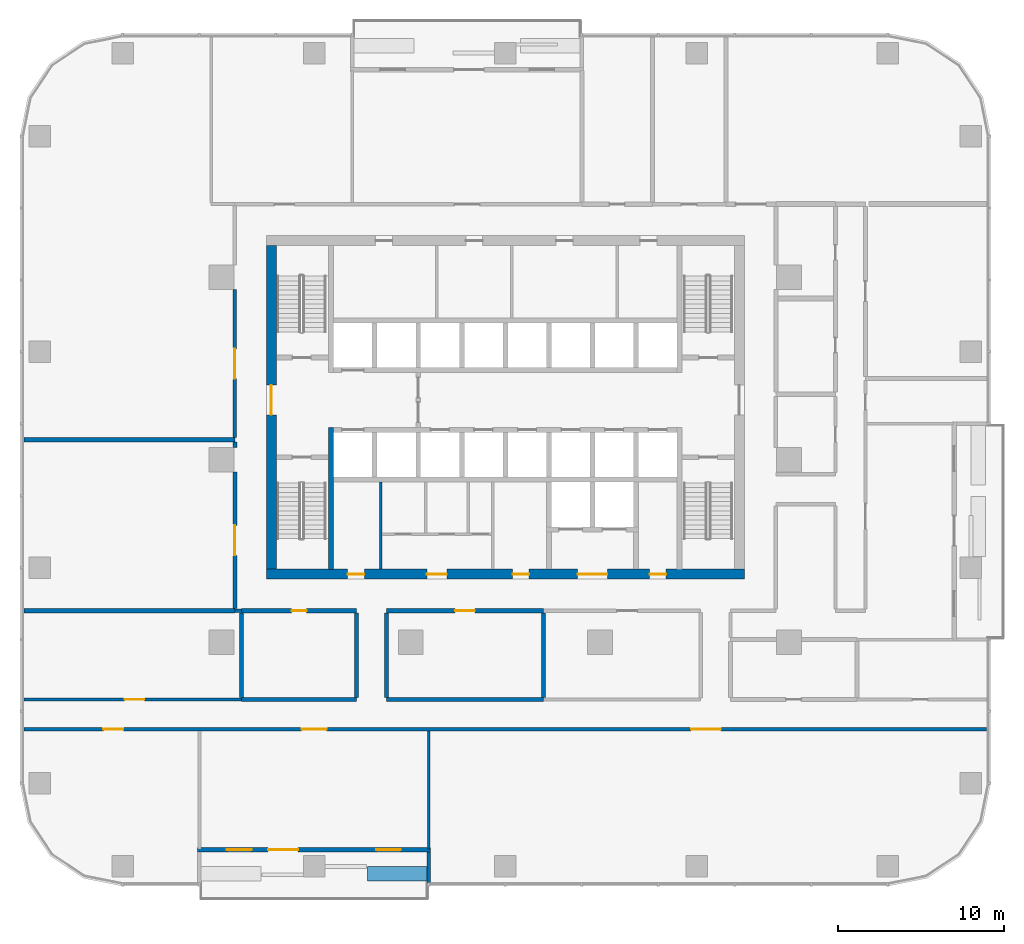
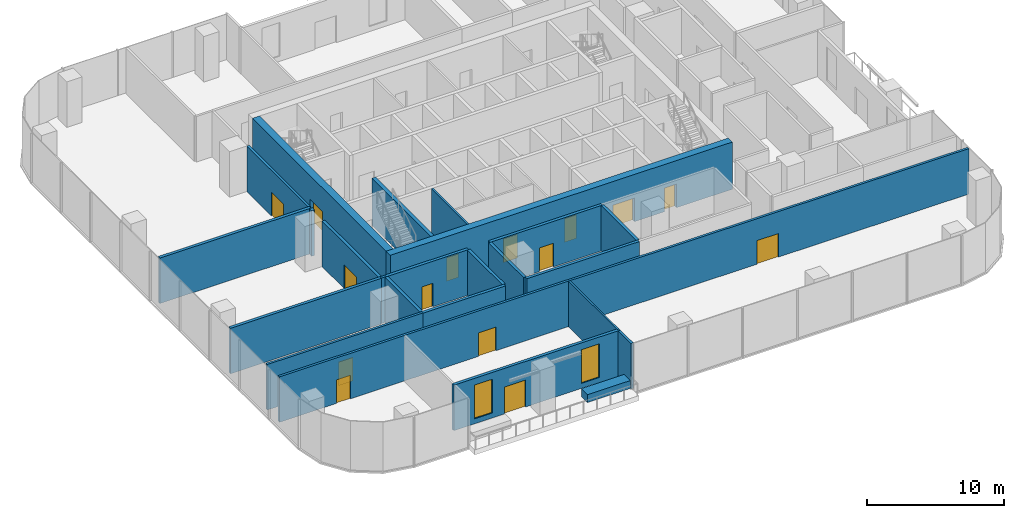
# One storey, part 7 of 14: 24 walls, 15 doors, 2 windows, 17 openings.
"""IFC4 building model written with IfcOpenShell, lengths in metres."""

from ifc_helpers import new_model, si_unit, direction, frame, frame_2d, origin, place, context, subcontext, project, spatial, rectangle, extrude, material, layer, layer_set, type_object, element, fill, save


model = new_model("IFC4")

# Units and contexts
model_context = context("Model", 3, precision=1e-05, world=origin(), true_north=direction((0.0, 1.0)))
body_context = subcontext(model_context, "Body", "Model", "MODEL_VIEW")
ifc_project = project(units=[si_unit("LENGTHUNIT", "METRE"), si_unit("AREAUNIT", "SQUARE_METRE"), si_unit("VOLUMEUNIT", "CUBIC_METRE"), si_unit("PLANEANGLEUNIT", "RADIAN"), si_unit("MASSUNIT", "GRAM", prefix="KILO")], contexts=[model_context])

# Site, building, storey
site_placement = place(None, origin())
site = spatial("IfcSite", under=ifc_project, at=site_placement, CompositionType="ELEMENT")
building_placement = place(site_placement, origin())
building = spatial("IfcBuilding", under=site, at=building_placement, Name="Mopane Tessera Tower", CompositionType="ELEMENT")
storey_placement = place(building_placement, frame((0.0, 0.0, 130.60009765625)))
storey = spatial("IfcBuildingStorey", under=building, at=storey_placement, Name="L26", CompositionType="ELEMENT", Elevation=130.60009765625)

# Wall
ifc_material_1 = material(Name="Fire-rated gypsum board partition")
ifc_layer_1 = layer(ifc_material_1, 0.14990234375)
ifc_layer_set_1 = layer_set([ifc_layer_1], Name="Fire-rated gypsum board partition")
wall_type_1 = type_object("IfcWallType", Name="Core room partition 150 mm", PredefinedType="PARTITIONING", material=ifc_layer_set_1)
wall_1_placement = place(storey_placement, frame((-7.5, -6.60009765625, 0.0), z_axis=(0.0, 0.0, 1.0), x_axis=(0.0, 1.0, 0.0)))
element("IfcWall", 1, at=wall_1_placement, inside=storey, type_object=wall_type_1, Name="L26 Room partition", PredefinedType="PARTITIONING", context=body_context, shape_type="SweptSolid", body=[
    extrude(rectangle(XDim=5.25, YDim=0.14990234375, at=frame_2d((2.625, 0.0))), origin(), (0.0, 0.0, 1.0), 4.199951171875),
])

# Wall, openings, doors
ifc_material_2 = material(Name="Concrete C70/85", Category="concrete")
ifc_layer_2 = layer(ifc_material_2, 0.60009765625)
ifc_layer_set_2 = layer_set([ifc_layer_2], Name="Concrete C70/85")
wall_type_2 = type_object("IfcWallType", Name="Core shear wall 600 mm", PredefinedType="SHEAR", material=ifc_layer_set_2)
wall_2_placement = place(storey_placement, frame((-14.39990234375, -6.89990234375, 0.0), z_axis=(0.0, 0.0, 1.0), x_axis=(1.0, 0.0, 0.0)))
wall_2 = element("IfcWall", 2, at=wall_2_placement, inside=storey, type_object=wall_type_2, Name="L26 Core wall south", PredefinedType="SHEAR", context=body_context, shape_type="SweptSolid", body=[
    extrude(rectangle(XDim=28.7998046875, YDim=0.60009765625, at=frame_2d((14.39990234375, 0.0))), origin(), (0.0, 0.0, 1.0), 4.199951171875),
])
opening_1_placement = place(wall_2_placement, frame((4.89990234375, 0.0, 0.0)))
opening_1 = element("IfcOpeningElement", 3, at=opening_1_placement, cuts=wall_2, Name="Opening RD1", PredefinedType="OPENING", context=body_context, shape_type="SweptSolid", body=[
    extrude(rectangle(XDim=1.0, YDim=2.10009765625, at=frame_2d((0.5, 1.050048828125))), frame((0.0, 0.31201171875, 0.0), z_axis=(0.0, -1.0, 0.0), x_axis=(1.0, 0.0, 0.0)), (0.0, 0.0, 1.0), 0.6240234375),
])
opening_2_placement = place(wall_2_placement, frame((9.675048828125, 0.0, 0.0)))
opening_2 = element("IfcOpeningElement", 4, at=opening_2_placement, cuts=wall_2, Name="Opening WD3", PredefinedType="OPENING", context=body_context, shape_type="SweptSolid", body=[
    extrude(rectangle(XDim=1.199951171875, YDim=2.10009765625, at=frame_2d((0.60009765625, 1.050048828125))), frame((0.0, 0.31201171875, 0.0), z_axis=(0.0, -1.0, 0.0), x_axis=(1.0, 0.0, 0.0)), (0.0, 0.0, 1.0), 0.6240234375),
])
opening_3_placement = place(wall_2_placement, frame((14.83740234375, 0.0, 0.0)))
opening_3 = element("IfcOpeningElement", 5, at=opening_3_placement, cuts=wall_2, Name="Opening RD1", PredefinedType="OPENING", context=body_context, shape_type="SweptSolid", body=[
    extrude(rectangle(XDim=1.0, YDim=2.10009765625, at=frame_2d((0.5, 1.050048828125))), frame((0.0, 0.31201171875, 0.0), z_axis=(0.0, -1.0, 0.0), x_axis=(1.0, 0.0, 0.0)), (0.0, 0.0, 1.0), 0.6240234375),
])
opening_4_placement = place(wall_2_placement, frame((18.75, 0.0, 0.0)))
opening_4 = element("IfcOpeningElement", 6, at=opening_4_placement, cuts=wall_2, Name="Opening SD2", PredefinedType="OPENING", context=body_context, shape_type="SweptSolid", body=[
    extrude(rectangle(XDim=1.800048828125, YDim=2.10009765625, at=frame_2d((0.89990234375, 1.050048828125))), frame((0.0, 0.31201171875, 0.0), z_axis=(0.0, -1.0, 0.0), x_axis=(1.0, 0.0, 0.0)), (0.0, 0.0, 1.0), 0.6240234375),
])
opening_5_placement = place(wall_2_placement, frame((23.08740234375, 0.0, 0.0)))
opening_5 = element("IfcOpeningElement", 7, at=opening_5_placement, cuts=wall_2, Name="Opening RD1", PredefinedType="OPENING", context=body_context, shape_type="SweptSolid", body=[
    extrude(rectangle(XDim=1.0, YDim=2.10009765625, at=frame_2d((0.5, 1.050048828125))), frame((0.0, 0.31201171875, 0.0), z_axis=(0.0, -1.0, 0.0), x_axis=(1.0, 0.0, 0.0)), (0.0, 0.0, 1.0), 0.6240234375),
])
ifc_material_3 = material(Name="Steel fire door", Category="steel")
door_type_1 = type_object("IfcDoorType", Name="Core entrance double door 1800 x 2100", OperationType="DOUBLE_DOOR_SINGLE_SWING", PredefinedType="DOOR", material=ifc_material_3)
door_1_placement = place(opening_4_placement, origin())
door_1 = element("IfcDoor", 8, at=door_1_placement, inside=storey, type_object=door_type_1, Name="L26 Service lobby door", OperationType="DOUBLE_DOOR_SINGLE_SWING", OverallHeight=2.10009765625, OverallWidth=1.800048828125, PredefinedType="DOOR", context=body_context, shape_type="SweptSolid", body=[
    extrude(rectangle(XDim=1.800048828125, YDim=2.10009765625, at=frame_2d((0.89990234375, 1.050048828125))), frame((0.0, 0.02490234375, 0.0), z_axis=(0.0, -1.0, 0.0), x_axis=(1.0, 0.0, 0.0)), (0.0, 0.0, 1.0), 0.050048828125),
])
fill(opening_4, door_1)
ifc_material_4 = material(Name="Timber door", Category="wood")
door_type_2 = type_object("IfcDoorType", Name="Core room door 1000 x 2100", OperationType="SINGLE_SWING_LEFT", PredefinedType="DOOR", material=ifc_material_4)
door_2_placement = place(opening_1_placement, origin())
door_2 = element("IfcDoor", 9, at=door_2_placement, inside=storey, type_object=door_type_2, Name="L26 Room door", OperationType="SINGLE_SWING_LEFT", OverallHeight=2.10009765625, OverallWidth=1.0, PredefinedType="DOOR", context=body_context, shape_type="SweptSolid", body=[
    extrude(rectangle(XDim=1.0, YDim=2.10009765625, at=frame_2d((0.5, 1.050048828125))), frame((0.0, 0.02490234375, 0.0), z_axis=(0.0, -1.0, 0.0), x_axis=(1.0, 0.0, 0.0)), (0.0, 0.0, 1.0), 0.050048828125),
])
fill(opening_1, door_2)
door_3_placement = place(opening_3_placement, origin())
door_3 = element("IfcDoor", 10, at=door_3_placement, inside=storey, type_object=door_type_2, Name="L26 Room door", OperationType="SINGLE_SWING_LEFT", OverallHeight=2.10009765625, OverallWidth=1.0, PredefinedType="DOOR", context=body_context, shape_type="SweptSolid", body=[
    extrude(rectangle(XDim=1.0, YDim=2.10009765625, at=frame_2d((0.5, 1.050048828125))), frame((0.0, 0.02490234375, 0.0), z_axis=(0.0, -1.0, 0.0), x_axis=(1.0, 0.0, 0.0)), (0.0, 0.0, 1.0), 0.050048828125),
])
fill(opening_3, door_3)
door_4_placement = place(opening_5_placement, origin())
door_4 = element("IfcDoor", 11, at=door_4_placement, inside=storey, type_object=door_type_2, Name="L26 Room door", OperationType="SINGLE_SWING_LEFT", OverallHeight=2.10009765625, OverallWidth=1.0, PredefinedType="DOOR", context=body_context, shape_type="SweptSolid", body=[
    extrude(rectangle(XDim=1.0, YDim=2.10009765625, at=frame_2d((0.5, 1.050048828125))), frame((0.0, 0.02490234375, 0.0), z_axis=(0.0, -1.0, 0.0), x_axis=(1.0, 0.0, 0.0)), (0.0, 0.0, 1.0), 0.050048828125),
])
fill(opening_5, door_4)
ifc_material_5 = material(Name="Timber door", Category="wood")
door_type_3 = type_object("IfcDoorType", Name="WC lobby door 1200 x 2100", OperationType="SINGLE_SWING_LEFT", PredefinedType="DOOR", material=ifc_material_5)
door_5_placement = place(opening_2_placement, origin())
door_5 = element("IfcDoor", 12, at=door_5_placement, inside=storey, type_object=door_type_3, Name="L26 WC lobby door", OperationType="SINGLE_SWING_LEFT", OverallHeight=2.10009765625, OverallWidth=1.199951171875, PredefinedType="DOOR", context=body_context, shape_type="SweptSolid", body=[
    extrude(rectangle(XDim=1.199951171875, YDim=2.10009765625, at=frame_2d((0.60009765625, 1.050048828125))), frame((0.0, 0.02490234375, 0.0), z_axis=(0.0, -1.0, 0.0), x_axis=(1.0, 0.0, 0.0)), (0.0, 0.0, 1.0), 0.050048828125),
])
fill(opening_2, door_5)

# Wall, opening, door
wall_3_placement = place(storey_placement, frame((-14.10009765625, -6.60009765625, 0.0), z_axis=(0.0, 0.0, 1.0), x_axis=(0.0, 1.0, 0.0)))
wall_3 = element("IfcWall", 13, at=wall_3_placement, inside=storey, type_object=wall_type_2, Name="L26 Core wall west", PredefinedType="SHEAR", context=body_context, shape_type="SweptSolid", body=[
    extrude(rectangle(XDim=19.5, YDim=0.60009765625, at=frame_2d((9.75, 0.0))), origin(), (0.0, 0.0, 1.0), 4.199951171875),
])
opening_6_placement = place(wall_3_placement, frame((9.300048828125, 0.0, 0.0)))
opening_6 = element("IfcOpeningElement", 14, at=opening_6_placement, cuts=wall_3, Name="Opening SD2", PredefinedType="OPENING", context=body_context, shape_type="SweptSolid", body=[
    extrude(rectangle(XDim=1.800048828125, YDim=2.10009765625, at=frame_2d((0.89990234375, 1.050048828125))), frame((0.0, 0.31201171875, 0.0), z_axis=(0.0, -1.0, 0.0), x_axis=(1.0, 0.0, 0.0)), (0.0, 0.0, 1.0), 0.6240234375),
])
door_6_placement = place(opening_6_placement, origin())
door_6 = element("IfcDoor", 15, at=door_6_placement, inside=storey, type_object=door_type_1, Name="L26 Core entrance door west", OperationType="DOUBLE_DOOR_SINGLE_SWING", OverallHeight=2.10009765625, OverallWidth=1.800048828125, PredefinedType="DOOR", context=body_context, shape_type="SweptSolid", body=[
    extrude(rectangle(XDim=1.800048828125, YDim=2.10009765625, at=frame_2d((0.89990234375, 1.050048828125))), frame((0.0, 0.02490234375, 0.0), z_axis=(0.0, -1.0, 0.0), x_axis=(1.0, 0.0, 0.0)), (0.0, 0.0, 1.0), 0.050048828125),
])
fill(opening_6, door_6)

# Wall
ifc_material_6 = material(Name="Concrete C60/75", Category="concrete")
ifc_layer_3 = layer(ifc_material_6, 0.300048828125)
ifc_layer_set_3 = layer_set([ifc_layer_3], Name="Concrete C60/75")
wall_type_3 = type_object("IfcWallType", Name="Core spine wall 300 mm", PredefinedType="SHEAR", material=ifc_layer_set_3)
wall_4_placement = place(storey_placement, frame((-10.5, -6.60009765625, 0.0), z_axis=(0.0, 0.0, 1.0), x_axis=(0.0, 1.0, 0.0)))
element("IfcWall", 16, at=wall_4_placement, inside=storey, type_object=wall_type_3, Name="L26 Core spine wall", PredefinedType="SHEAR", context=body_context, shape_type="SweptSolid", body=[
    extrude(rectangle(XDim=8.550048828125, YDim=0.300048828125, at=frame_2d((4.27490234375, 0.0))), origin(), (0.0, 0.0, 1.0), 4.199951171875),
])

# Wall, openings, doors
ifc_material_7 = material(Name="Gypsum board on steel studs, two layers each face, mineral wool infill", Category="steel")
ifc_layer_4 = layer(ifc_material_7, 0.199951171875)
ifc_layer_set_4 = layer_set([ifc_layer_4], Name="Gypsum board on steel studs, two layers each face, mineral wool infill")
wall_type_4 = type_object("IfcWallType", Name="Gypsum board corridor wall 200, rated EI 60", PredefinedType="PARTITIONING", material=ifc_layer_set_4)
wall_5_placement = place(storey_placement, frame((-29.0, -16.25, 0.0), z_axis=(0.0, 0.0, 1.0), x_axis=(1.0, 0.0, 0.0)))
wall_5 = element("IfcWall", 17, at=wall_5_placement, inside=storey, type_object=wall_type_4, Name="Partition L26:000", PredefinedType="PARTITIONING", context=body_context, shape_type="SweptSolid", body=[
    extrude(rectangle(XDim=58.0, YDim=0.199951171875, at=frame_2d((29.0, 0.0))), origin(), (0.0, 0.0, 1.0), 4.0498046875),
])
opening_7_placement = place(wall_5_placement, frame((16.72509765625, 0.0, 0.0)))
opening_7 = element("IfcOpeningElement", 18, at=opening_7_placement, cuts=wall_5, Name="Opening L26-02", PredefinedType="OPENING", context=body_context, shape_type="SweptSolid", body=[
    extrude(rectangle(XDim=1.5, YDim=2.10009765625, at=frame_2d((0.75, 1.050048828125))), frame((0.0, 0.112060546875, 0.0), z_axis=(0.0, -1.0, 0.0), x_axis=(1.0, 0.0, 0.0)), (0.0, 0.0, 1.0), 0.223876953125),
])
opening_8_placement = place(wall_5_placement, frame((4.780029296875, 0.0, 0.0)))
opening_8 = element("IfcOpeningElement", 19, at=opening_8_placement, cuts=wall_5, Name="Opening L26-05", PredefinedType="OPENING", context=body_context, shape_type="SweptSolid", body=[
    extrude(rectangle(XDim=1.199951171875, YDim=2.10009765625, at=frame_2d((0.60009765625, 1.050048828125))), frame((0.0, 0.112060546875, 0.0), z_axis=(0.0, -1.0, 0.0), x_axis=(1.0, 0.0, 0.0)), (0.0, 0.0, 1.0), 0.223876953125),
])
opening_9_placement = place(wall_5_placement, frame((40.195068359375, 0.0, 0.0)))
opening_9 = element("IfcOpeningElement", 20, at=opening_9_placement, cuts=wall_5, Name="Opening L26-10", PredefinedType="OPENING", context=body_context, shape_type="SweptSolid", body=[
    extrude(rectangle(XDim=1.800048828125, YDim=2.10009765625, at=frame_2d((0.89990234375, 1.050048828125))), frame((0.0, 0.112060546875, 0.0), z_axis=(0.0, -1.0, 0.0), x_axis=(1.0, 0.0, 0.0)), (0.0, 0.0, 1.0), 0.223876953125),
])
ifc_material_8 = material(Name="Timber veneered steel-framed fire door", Category="steel")
door_type_4 = type_object("IfcDoorType", Name="Fire door FD60 1200 x 2100", OperationType="SINGLE_SWING_LEFT", PredefinedType="DOOR", material=ifc_material_8)
door_7_placement = place(opening_8_placement, origin())
door_7 = element("IfcDoor", 21, at=door_7_placement, inside=storey, type_object=door_type_4, Name="Door L26-05", ObjectType="D15A", OperationType="SINGLE_SWING_LEFT", OverallHeight=2.10009765625, OverallWidth=1.199951171875, PredefinedType="DOOR", context=body_context, shape_type="SweptSolid", body=[
    extrude(rectangle(XDim=1.199951171875, YDim=2.10009765625, at=frame_2d((0.60009765625, 1.050048828125))), frame((0.0, 0.02490234375, 0.0), z_axis=(0.0, -1.0, 0.0), x_axis=(1.0, 0.0, 0.0)), (0.0, 0.0, 1.0), 0.050048828125),
])
fill(opening_8, door_7)
ifc_material_9 = material(Name="Timber veneered steel-framed fire door", Category="steel")
door_type_5 = type_object("IfcDoorType", Name="Fire door pair FD60 1500 x 2100", OperationType="DOUBLE_DOOR_SINGLE_SWING", PredefinedType="DOOR", material=ifc_material_9)
door_8_placement = place(opening_7_placement, origin())
door_8 = element("IfcDoor", 22, at=door_8_placement, inside=storey, type_object=door_type_5, Name="Door L26-02", ObjectType="D17A", OperationType="DOUBLE_DOOR_SINGLE_SWING", OverallHeight=2.10009765625, OverallWidth=1.5, PredefinedType="DOOR", context=body_context, shape_type="SweptSolid", body=[
    extrude(rectangle(XDim=1.5, YDim=2.10009765625, at=frame_2d((0.75, 1.050048828125))), frame((0.0, 0.02490234375, 0.0), z_axis=(0.0, -1.0, 0.0), x_axis=(1.0, 0.0, 0.0)), (0.0, 0.0, 1.0), 0.050048828125),
])
fill(opening_7, door_8)
ifc_material_10 = material(Name="Timber veneered steel-framed fire door", Category="steel")
door_type_6 = type_object("IfcDoorType", Name="Fire door pair FD60 1800 x 2100", OperationType="DOUBLE_DOOR_SINGLE_SWING", PredefinedType="DOOR", material=ifc_material_10)
door_9_placement = place(opening_9_placement, origin())
door_9 = element("IfcDoor", 23, at=door_9_placement, inside=storey, type_object=door_type_6, Name="Door L26-10", ObjectType="D20A", OperationType="DOUBLE_DOOR_SINGLE_SWING", OverallHeight=2.10009765625, OverallWidth=1.800048828125, PredefinedType="DOOR", context=body_context, shape_type="SweptSolid", body=[
    extrude(rectangle(XDim=1.800048828125, YDim=2.10009765625, at=frame_2d((0.89990234375, 1.050048828125))), frame((0.0, 0.02490234375, 0.0), z_axis=(0.0, -1.0, 0.0), x_axis=(1.0, 0.0, 0.0)), (0.0, 0.0, 1.0), 0.050048828125),
])
fill(opening_9, door_9)

# Wall, opening, door
wall_6_placement = place(storey_placement, frame((-29.0, -14.449951171875, 0.0), z_axis=(0.0, 0.0, 1.0), x_axis=(1.0, 0.0, 0.0)))
wall_6 = element("IfcWall", 24, at=wall_6_placement, inside=storey, type_object=wall_type_4, Name="Partition L26:001", PredefinedType="PARTITIONING", context=body_context, shape_type="SweptSolid", body=[
    extrude(rectangle(XDim=13.10009765625, YDim=0.199951171875, at=frame_2d((6.550048828125, 0.0))), origin(), (0.0, 0.0, 1.0), 4.0498046875),
])
opening_10_placement = place(wall_6_placement, frame((6.050048828125, 0.0, 0.0)))
opening_10 = element("IfcOpeningElement", 25, at=opening_10_placement, cuts=wall_6, Name="Opening L26-14", PredefinedType="OPENING", context=body_context, shape_type="SweptSolid", body=[
    extrude(rectangle(XDim=1.199951171875, YDim=2.10009765625, at=frame_2d((0.60009765625, 1.050048828125))), frame((0.0, 0.112060546875, 0.0), z_axis=(0.0, -1.0, 0.0), x_axis=(1.0, 0.0, 0.0)), (0.0, 0.0, 1.0), 0.223876953125),
])
door_10_placement = place(opening_10_placement, origin())
door_10 = element("IfcDoor", 26, at=door_10_placement, inside=storey, type_object=door_type_4, Name="Door L26-14", ObjectType="D15A", OperationType="SINGLE_SWING_LEFT", OverallHeight=2.10009765625, OverallWidth=1.199951171875, PredefinedType="DOOR", context=body_context, shape_type="SweptSolid", body=[
    extrude(rectangle(XDim=1.199951171875, YDim=2.10009765625, at=frame_2d((0.60009765625, 1.050048828125))), frame((0.0, 0.02490234375, 0.0), z_axis=(0.0, -1.0, 0.0), x_axis=(1.0, 0.0, 0.0)), (0.0, 0.0, 1.0), 0.050048828125),
])
fill(opening_10, door_10)

# Wall
wall_7_placement = place(storey_placement, frame((-16.300048828125, -9.10009765625, 0.0), z_axis=(0.0, 0.0, 1.0), x_axis=(1.0, 0.0, 0.0)))
element("IfcWall", 27, at=wall_7_placement, inside=storey, type_object=wall_type_4, Name="Partition L26:010", PredefinedType="PARTITIONING", context=body_context, shape_type="SweptSolid", body=[
    extrude(rectangle(XDim=0.400146484375, YDim=0.199951171875, at=frame_2d((0.2001953125, 0.0))), origin(), (0.0, 0.0, 1.0), 4.0498046875),
])

# Wall, opening, door
wall_8_placement = place(storey_placement, frame((-16.300048828125, 1.324951171875, 0.0), z_axis=(0.0, 0.0, 1.0), x_axis=(0.0, 1.0, 0.0)))
wall_8 = element("IfcWall", 28, at=wall_8_placement, inside=storey, type_object=wall_type_4, Name="Partition L26:034", PredefinedType="PARTITIONING", context=body_context, shape_type="SweptSolid", body=[
    extrude(rectangle(XDim=8.925048828125, YDim=0.199951171875, at=frame_2d((4.46240234375, 0.0))), origin(), (0.0, 0.0, 1.0), 4.0498046875),
])
opening_11_placement = place(wall_8_placement, frame((3.5625, 0.0, 0.0)))
opening_11 = element("IfcOpeningElement", 29, at=opening_11_placement, cuts=wall_8, Name="Opening L26-06", PredefinedType="OPENING", context=body_context, shape_type="SweptSolid", body=[
    extrude(rectangle(XDim=1.800048828125, YDim=2.10009765625, at=frame_2d((0.89990234375, 1.050048828125))), frame((0.0, 0.112060546875, 0.0), z_axis=(0.0, -1.0, 0.0), x_axis=(1.0, 0.0, 0.0)), (0.0, 0.0, 1.0), 0.223876953125),
])
door_11_placement = place(opening_11_placement, origin())
door_11 = element("IfcDoor", 30, at=door_11_placement, inside=storey, type_object=door_type_6, Name="Door L26-06", ObjectType="D20A", OperationType="DOUBLE_DOOR_SINGLE_SWING", OverallHeight=2.10009765625, OverallWidth=1.800048828125, PredefinedType="DOOR", context=body_context, shape_type="SweptSolid", body=[
    extrude(rectangle(XDim=1.800048828125, YDim=2.10009765625, at=frame_2d((0.89990234375, 1.050048828125))), frame((0.0, 0.02490234375, 0.0), z_axis=(0.0, -1.0, 0.0), x_axis=(1.0, 0.0, 0.0)), (0.0, 0.0, 1.0), 0.050048828125),
])
fill(opening_11, door_11)

# Walls
ifc_material_11 = material(Name="Gypsum board on steel studs, mineral wool infill", Category="steel")
ifc_layer_5 = layer(ifc_material_11, 0.14990234375)
ifc_layer_set_5 = layer_set([ifc_layer_5], Name="Gypsum board on steel studs, mineral wool infill")
wall_type_5 = type_object("IfcWallType", Name="Gypsum board partition 150, rated EI 60", PredefinedType="PARTITIONING", material=ifc_layer_set_5)
wall_9_placement = place(storey_placement, frame((-4.610107421875, -23.449951171875, 0.0), z_axis=(0.0, 0.0, 1.0), x_axis=(0.0, 1.0, 0.0)))
element("IfcWall", 31, at=wall_9_placement, inside=storey, type_object=wall_type_5, Name="Partition L26:042", PredefinedType="PARTITIONING", context=body_context, shape_type="SweptSolid", body=[
    extrude(rectangle(XDim=7.099853515625, YDim=0.14990234375, at=frame_2d((3.5498046875, 0.0))), origin(), (0.0, 0.0, 1.0), 4.0498046875),
])
ifc_material_12 = material(Name="Reinforced concrete C32/40 with waterproofing", Category="concrete")
ifc_layer_6 = layer(ifc_material_12, 0.89990234375)
ifc_layer_set_6 = layer_set([ifc_layer_6], Name="Reinforced concrete C32/40 with waterproofing")
wall_type_6 = type_object("IfcWallType", Name="Planter trough 3600 x 900", PredefinedType="STANDARD", material=ifc_layer_set_6)
wall_10_placement = place(storey_placement, frame((-8.31005859375, -24.949951171875, 0.0), z_axis=(0.0, 0.0, 1.0), x_axis=(1.0, 0.0, 0.0)))
element("IfcWall", 32, at=wall_10_placement, inside=storey, type_object=wall_type_6, Name="e:nw:L26:N2:pl1", PredefinedType="STANDARD", context=body_context, shape_type="SweptSolid", body=[
    extrude(rectangle(XDim=3.60009765625, YDim=0.89990234375, at=frame_2d((1.800048828125, 0.0))), origin(), (0.0, 0.0, 1.0), 0.699951171875),
])
ifc_material_13 = material(Name="Plastered concrete blockwork C20/25", Category="masonry")
ifc_layer_7 = layer(ifc_material_13, 0.25)
ifc_layer_set_7 = layer_set([ifc_layer_7], Name="Plastered concrete blockwork C20/25")
wall_type_7 = type_object("IfcWallType", Name="Plastered blockwork wall 250, rated EI 120", PredefinedType="PARTITIONING", material=ifc_layer_set_7)
wall_11_placement = place(storey_placement, frame((-15.89990234375, -14.449951171875, 0.0), z_axis=(0.0, 0.0, 1.0), x_axis=(1.0, 0.0, 0.0)))
element("IfcWall", 33, at=wall_11_placement, inside=storey, type_object=wall_type_7, Name="Partition L26:004", PredefinedType="PARTITIONING", context=body_context, shape_type="SweptSolid", body=[
    extrude(rectangle(XDim=6.934814453125, YDim=0.25, at=frame_2d((3.46728515625, 0.0))), origin(), (0.0, 0.0, 1.0), 4.0498046875),
])
wall_12_placement = place(storey_placement, frame((-7.1650390625, -14.449951171875, 0.0), z_axis=(0.0, 0.0, 1.0), x_axis=(1.0, 0.0, 0.0)))
element("IfcWall", 34, at=wall_12_placement, inside=storey, type_object=wall_type_7, Name="Partition L26:005", PredefinedType="PARTITIONING", context=body_context, shape_type="SweptSolid", body=[
    extrude(rectangle(XDim=9.465087890625, YDim=0.25, at=frame_2d((4.732421875, 0.0))), origin(), (0.0, 0.0, 1.0), 4.0498046875),
])
wall_13_placement = place(storey_placement, frame((-29.0, -9.10009765625, 0.0), z_axis=(0.0, 0.0, 1.0), x_axis=(1.0, 0.0, 0.0)))
element("IfcWall", 35, at=wall_13_placement, inside=storey, type_object=wall_type_7, Name="Partition L26:014", PredefinedType="PARTITIONING", context=body_context, shape_type="SweptSolid", body=[
    extrude(rectangle(XDim=12.699951171875, YDim=0.25, at=frame_2d((6.35009765625, 0.0))), origin(), (0.0, 0.0, 1.0), 4.0498046875),
])

# Wall, opening, door
wall_14_placement = place(storey_placement, frame((-15.89990234375, -9.10009765625, 0.0), z_axis=(0.0, 0.0, 1.0), x_axis=(1.0, 0.0, 0.0)))
wall_14 = element("IfcWall", 36, at=wall_14_placement, inside=storey, type_object=wall_type_7, Name="Partition L26:015", PredefinedType="PARTITIONING", context=body_context, shape_type="SweptSolid", body=[
    extrude(rectangle(XDim=6.934814453125, YDim=0.25, at=frame_2d((3.46728515625, 0.0))), origin(), (0.0, 0.0, 1.0), 4.0498046875),
])
opening_12_placement = place(wall_14_placement, frame((3.017578125, 0.0, 0.0)))
opening_12 = element("IfcOpeningElement", 37, at=opening_12_placement, cuts=wall_14, Name="Opening L26-19", PredefinedType="OPENING", context=body_context, shape_type="SweptSolid", body=[
    extrude(rectangle(XDim=0.89990234375, YDim=2.10009765625, at=frame_2d((0.449951171875, 1.050048828125))), frame((0.0, 0.136962890625, 0.0), z_axis=(0.0, -1.0, 0.0), x_axis=(1.0, 0.0, 0.0)), (0.0, 0.0, 1.0), 0.27392578125),
])
ifc_material_14 = material(Name="Timber veneered steel-framed fire door", Category="steel")
door_type_7 = type_object("IfcDoorType", Name="Fire door FD120 900 x 2100", OperationType="SINGLE_SWING_LEFT", PredefinedType="DOOR", material=ifc_material_14)
door_12_placement = place(opening_12_placement, origin())
door_12 = element("IfcDoor", 38, at=door_12_placement, inside=storey, type_object=door_type_7, Name="Door L26-19", ObjectType="D10B", OperationType="SINGLE_SWING_RIGHT", OverallHeight=2.10009765625, OverallWidth=0.89990234375, PredefinedType="DOOR", context=body_context, shape_type="SweptSolid", body=[
    extrude(rectangle(XDim=0.89990234375, YDim=2.10009765625, at=frame_2d((0.449951171875, 1.050048828125))), frame((0.0, 0.02490234375, 0.0), z_axis=(0.0, -1.0, 0.0), x_axis=(1.0, 0.0, 0.0)), (0.0, 0.0, 1.0), 0.050048828125),
])
fill(opening_12, door_12)

wall_15_placement = place(storey_placement, frame((-7.1650390625, -9.10009765625, 0.0), z_axis=(0.0, 0.0, 1.0), x_axis=(1.0, 0.0, 0.0)))
wall_15 = element("IfcWall", 39, at=wall_15_placement, inside=storey, type_object=wall_type_7, Name="Partition L26:016", PredefinedType="PARTITIONING", context=body_context, shape_type="SweptSolid", body=[
    extrude(rectangle(XDim=9.465087890625, YDim=0.25, at=frame_2d((4.732421875, 0.0))), origin(), (0.0, 0.0, 1.0), 4.0498046875),
])
opening_13_placement = place(wall_15_placement, frame((4.132568359375, 0.0, 0.0)))
opening_13 = element("IfcOpeningElement", 40, at=opening_13_placement, cuts=wall_15, Name="Opening L26-11", PredefinedType="OPENING", context=body_context, shape_type="SweptSolid", body=[
    extrude(rectangle(XDim=1.199951171875, YDim=2.10009765625, at=frame_2d((0.60009765625, 1.050048828125))), frame((0.0, 0.136962890625, 0.0), z_axis=(0.0, -1.0, 0.0), x_axis=(1.0, 0.0, 0.0)), (0.0, 0.0, 1.0), 0.27392578125),
])
ifc_material_15 = material(Name="Timber veneered steel-framed fire door", Category="steel")
door_type_8 = type_object("IfcDoorType", Name="Fire door FD120 1200 x 2100", OperationType="SINGLE_SWING_LEFT", PredefinedType="DOOR", material=ifc_material_15)
door_13_placement = place(opening_13_placement, origin())
door_13 = element("IfcDoor", 41, at=door_13_placement, inside=storey, type_object=door_type_8, Name="Door L26-11", ObjectType="D15B", OperationType="SINGLE_SWING_RIGHT", OverallHeight=2.10009765625, OverallWidth=1.199951171875, PredefinedType="DOOR", context=body_context, shape_type="SweptSolid", body=[
    extrude(rectangle(XDim=1.199951171875, YDim=2.10009765625, at=frame_2d((0.60009765625, 1.050048828125))), frame((0.0, 0.02490234375, 0.0), z_axis=(0.0, -1.0, 0.0), x_axis=(1.0, 0.0, 0.0)), (0.0, 0.0, 1.0), 0.050048828125),
])
fill(opening_13, door_13)

# Wall
wall_16_placement = place(storey_placement, frame((-29.0, 1.199951171875, 0.0), z_axis=(0.0, 0.0, 1.0), x_axis=(1.0, 0.0, 0.0)))
element("IfcWall", 42, at=wall_16_placement, inside=storey, type_object=wall_type_7, Name="Partition L26:019", PredefinedType="PARTITIONING", context=body_context, shape_type="SweptSolid", body=[
    extrude(rectangle(XDim=12.699951171875, YDim=0.25, at=frame_2d((6.35009765625, 0.0))), origin(), (0.0, 0.0, 1.0), 4.0498046875),
])

# Wall, opening, door
wall_17_placement = place(storey_placement, frame((-16.300048828125, -8.97509765625, 0.0), z_axis=(0.0, 0.0, 1.0), x_axis=(0.0, 1.0, 0.0)))
wall_17 = element("IfcWall", 43, at=wall_17_placement, inside=storey, type_object=wall_type_7, Name="Partition L26:036", PredefinedType="PARTITIONING", context=body_context, shape_type="SweptSolid", body=[
    extrude(rectangle(XDim=8.22509765625, YDim=0.25, at=frame_2d((4.112548828125, 0.0))), origin(), (0.0, 0.0, 1.0), 4.0498046875),
])
opening_14_placement = place(wall_17_placement, frame((3.21240234375, 0.0, 0.0)))
opening_14 = element("IfcOpeningElement", 44, at=opening_14_placement, cuts=wall_17, Name="Opening L26-07", PredefinedType="OPENING", context=body_context, shape_type="SweptSolid", body=[
    extrude(rectangle(XDim=1.800048828125, YDim=2.10009765625, at=frame_2d((0.89990234375, 1.050048828125))), frame((0.0, 0.136962890625, 0.0), z_axis=(0.0, -1.0, 0.0), x_axis=(1.0, 0.0, 0.0)), (0.0, 0.0, 1.0), 0.27392578125),
])
ifc_material_16 = material(Name="Timber veneered steel-framed fire door", Category="steel")
door_type_9 = type_object("IfcDoorType", Name="Fire door pair FD120 1800 x 2100", OperationType="DOUBLE_DOOR_SINGLE_SWING", PredefinedType="DOOR", material=ifc_material_16)
door_14_placement = place(opening_14_placement, origin())
door_14 = element("IfcDoor", 45, at=door_14_placement, inside=storey, type_object=door_type_9, Name="Door L26-07", ObjectType="D20B", OperationType="DOUBLE_DOOR_SINGLE_SWING", OverallHeight=2.10009765625, OverallWidth=1.800048828125, PredefinedType="DOOR", context=body_context, shape_type="SweptSolid", body=[
    extrude(rectangle(XDim=1.800048828125, YDim=2.10009765625, at=frame_2d((0.89990234375, 1.050048828125))), frame((0.0, 0.02490234375, 0.0), z_axis=(0.0, -1.0, 0.0), x_axis=(1.0, 0.0, 0.0)), (0.0, 0.0, 1.0), 0.050048828125),
])
fill(opening_14, door_14)

# Walls
wall_18_placement = place(storey_placement, frame((-16.300048828125, 0.75, 0.0), z_axis=(0.0, 0.0, 1.0), x_axis=(0.0, 1.0, 0.0)))
element("IfcWall", 46, at=wall_18_placement, inside=storey, type_object=wall_type_7, Name="Partition L26:037", PredefinedType="PARTITIONING", context=body_context, shape_type="SweptSolid", body=[
    extrude(rectangle(XDim=0.324951171875, YDim=0.25, at=frame_2d((0.16259765625, 0.0))), origin(), (0.0, 0.0, 1.0), 4.0498046875),
])
for number, where, z_axis, x_axis, name in (
    (47, (-15.89990234375, -14.324951171875, 0.0), (0.0, 0.0, 1.0), (0.0, 1.0, 0.0), "Partition L26:038"),
    (48, (-8.965087890625, -14.324951171875, 0.0), (0.0, 0.0, 1.0), (0.0, 1.0, 0.0), "Partition L26:040"),
    (49, (-7.1650390625, -14.324951171875, 0.0), (0.0, 0.0, 1.0), (0.0, 1.0, 0.0), "Partition L26:041"),
    (50, (2.300048828125, -14.324951171875, 0.0), (0.0, 0.0, 1.0), (0.0, 1.0, 0.0), "Partition L26:043"),
):
    element("IfcWall", number, at=place(storey_placement, frame(where, z_axis=z_axis, x_axis=x_axis)), inside=storey, type_object=wall_type_7, Name=name, PredefinedType="PARTITIONING", context=body_context, shape_type="SweptSolid", body=[
        extrude(rectangle(XDim=5.099853515625, YDim=0.25, at=frame_2d((2.5498046875, 0.0))), origin(), (0.0, 0.0, 1.0), 4.0498046875),
    ])
ifc_material_17 = material(Name="Blockwork with glazed tile facing", Category="masonry")
ifc_layer_8 = layer(ifc_material_17, 0.199951171875)
ifc_layer_set_8 = layer_set([ifc_layer_8], Name="Blockwork with glazed tile facing")
wall_type_8 = type_object("IfcWallType", Name="Terrace cheek wall 200", PredefinedType="STANDARD", material=ifc_layer_set_8)
wall_19_placement = place(storey_placement, frame((-4.610107421875, -25.5, 0.0), z_axis=(0.0, 0.0, 1.0), x_axis=(0.0, 1.0, 0.0)))
element("IfcWall", 51, at=wall_19_placement, inside=storey, type_object=wall_type_8, Name="e:nw:L26:N2:cheekb", PredefinedType="STANDARD", context=body_context, shape_type="SweptSolid", body=[
    extrude(rectangle(XDim=1.875, YDim=0.199951171875, at=frame_2d((0.9375, 0.0))), origin(), (0.0, 0.0, 1.0), 4.0498046875),
])

# Wall, openings, windows, door
ifc_material_18 = material(Name="Blockwork with ultramarine glazed tile facing", Category="masonry")
ifc_layer_9 = layer(ifc_material_18, 0.25)
ifc_layer_set_9 = layer_set([ifc_layer_9], Name="Blockwork with ultramarine glazed tile facing")
wall_type_9 = type_object("IfcWallType", Name="Tile-clad external wall 250, ultramarine", PredefinedType="STANDARD", material=ifc_layer_set_9)
wall_20_placement = place(storey_placement, frame((-18.5400390625, -23.5, 0.0), z_axis=(0.0, 0.0, 1.0), x_axis=(1.0, 0.0, 0.0)))
wall_20 = element("IfcWall", 52, at=wall_20_placement, inside=storey, type_object=wall_type_9, Name="e:nw:L26:N2:back", PredefinedType="STANDARD", context=body_context, shape_type="SweptSolid", body=[
    extrude(rectangle(XDim=14.030029296875, YDim=0.25, at=frame_2d((7.01513671875, 0.0))), origin(), (0.0, 0.0, 1.0), 4.0498046875),
])
opening_15_placement = place(wall_20_placement, frame((1.75, 0.0, 0.449951171875)))
opening_15 = element("IfcOpeningElement", 53, at=opening_15_placement, cuts=wall_20, Name="Opening NW262A", PredefinedType="OPENING", context=body_context, shape_type="SweptSolid", body=[
    extrude(rectangle(XDim=1.5, YDim=3.0, at=frame_2d((0.75, 1.5))), frame((0.0, 0.136962890625, 0.0), z_axis=(0.0, -1.0, 0.0), x_axis=(1.0, 0.0, 0.0)), (0.0, 0.0, 1.0), 0.27392578125),
])
opening_16_placement = place(wall_20_placement, frame((4.25, 0.0, 0.0)))
opening_16 = element("IfcOpeningElement", 54, at=opening_16_placement, cuts=wall_20, Name="Opening ND262", PredefinedType="OPENING", context=body_context, shape_type="SweptSolid", body=[
    extrude(rectangle(XDim=1.800048828125, YDim=2.39990234375, at=frame_2d((0.89990234375, 1.199951171875))), frame((0.0, 0.136962890625, 0.0), z_axis=(0.0, -1.0, 0.0), x_axis=(1.0, 0.0, 0.0)), (0.0, 0.0, 1.0), 0.27392578125),
])
opening_17_placement = place(wall_20_placement, frame((10.75, 0.0, 0.449951171875)))
opening_17 = element("IfcOpeningElement", 55, at=opening_17_placement, cuts=wall_20, Name="Opening NW262B", PredefinedType="OPENING", context=body_context, shape_type="SweptSolid", body=[
    extrude(rectangle(XDim=1.5, YDim=3.0, at=frame_2d((0.75, 1.5))), frame((0.0, 0.136962890625, 0.0), z_axis=(0.0, -1.0, 0.0), x_axis=(1.0, 0.0, 0.0)), (0.0, 0.0, 1.0), 0.27392578125),
])
ifc_material_19 = material(Name="Clear laminated glass", Category="glass")
window_type = type_object("IfcWindowType", Name="Fixed window 1500 x 3000", PartitioningType="SINGLE_PANEL", PredefinedType="WINDOW", material=ifc_material_19)
window_1_placement = place(opening_15_placement, origin())
window_1 = element("IfcWindow", 56, at=window_1_placement, inside=storey, type_object=window_type, Name="e:nw:L26:N2:win0", OverallHeight=3.0, OverallWidth=1.5, PartitioningType="SINGLE_PANEL", PredefinedType="WINDOW", context=body_context, shape_type="SweptSolid", body=[
    extrude(rectangle(XDim=1.5, YDim=3.0, at=frame_2d((0.75, 1.5))), frame((0.0, 0.030029296875, 0.0), z_axis=(0.0, -1.0, 0.0), x_axis=(1.0, 0.0, 0.0)), (0.0, 0.0, 1.0), 0.06005859375),
])
fill(opening_15, window_1)
window_2_placement = place(opening_17_placement, origin())
window_2 = element("IfcWindow", 57, at=window_2_placement, inside=storey, type_object=window_type, Name="e:nw:L26:N2:win2", OverallHeight=3.0, OverallWidth=1.5, PartitioningType="SINGLE_PANEL", PredefinedType="WINDOW", context=body_context, shape_type="SweptSolid", body=[
    extrude(rectangle(XDim=1.5, YDim=3.0, at=frame_2d((0.75, 1.5))), frame((0.0, 0.030029296875, 0.0), z_axis=(0.0, -1.0, 0.0), x_axis=(1.0, 0.0, 0.0)), (0.0, 0.0, 1.0), 0.06005859375),
])
fill(opening_17, window_2)
ifc_material_20 = material(Name="Aluminium and clear glass", Category="aluminium")
door_type_10 = type_object("IfcDoorType", Name="Terrace double door 1800 x 2400", OperationType="DOUBLE_DOOR_SINGLE_SWING", PredefinedType="DOOR", material=ifc_material_20)
door_15_placement = place(opening_16_placement, origin())
door_15 = element("IfcDoor", 58, at=door_15_placement, inside=storey, type_object=door_type_10, Name="e:nw:L26:N2:door", ObjectType="D1", OperationType="DOUBLE_DOOR_SINGLE_SWING", OverallHeight=2.39990234375, OverallWidth=1.800048828125, PredefinedType="DOOR", context=body_context, shape_type="SweptSolid", body=[
    extrude(rectangle(XDim=1.800048828125, YDim=2.39990234375, at=frame_2d((0.89990234375, 1.199951171875))), frame((0.0, 0.02490234375, 0.0), z_axis=(0.0, -1.0, 0.0), x_axis=(1.0, 0.0, 0.0)), (0.0, 0.0, 1.0), 0.050048828125),
])
fill(opening_16, door_15)

save(model, "model.ifc")
